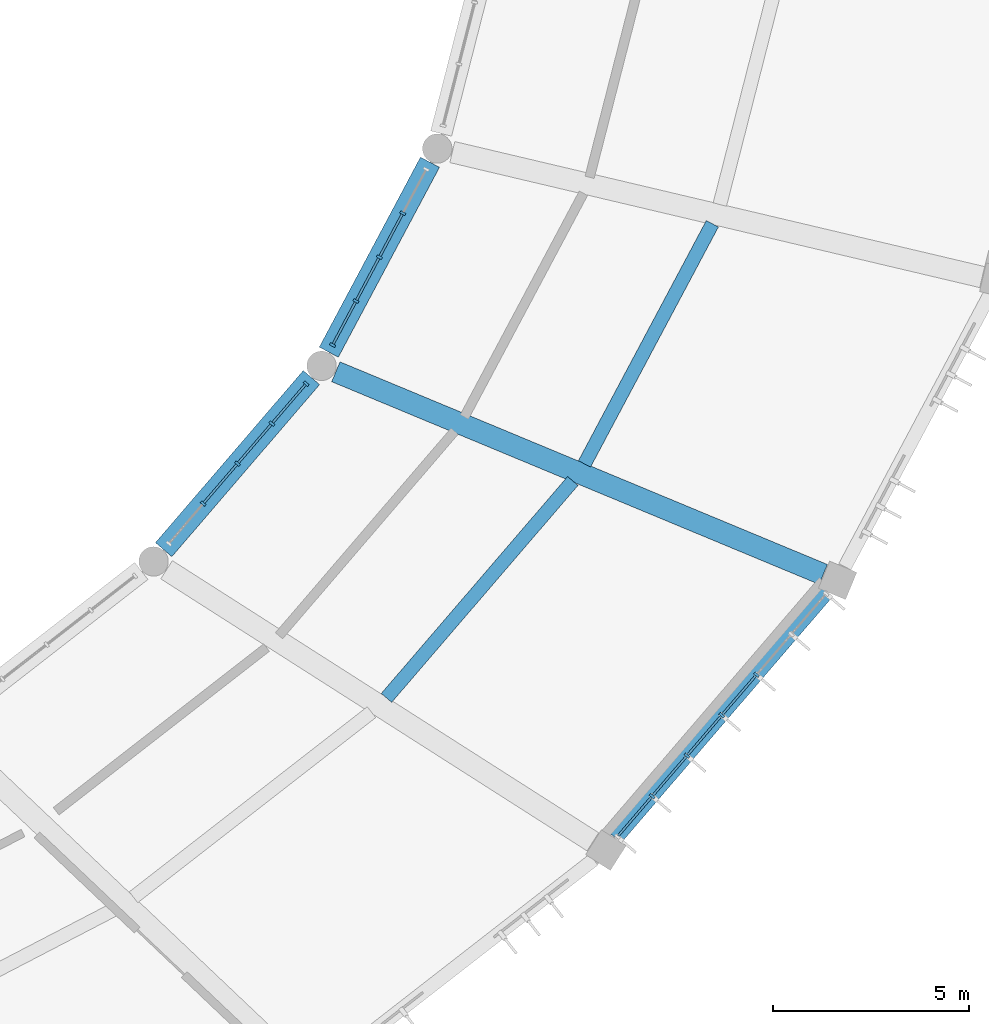
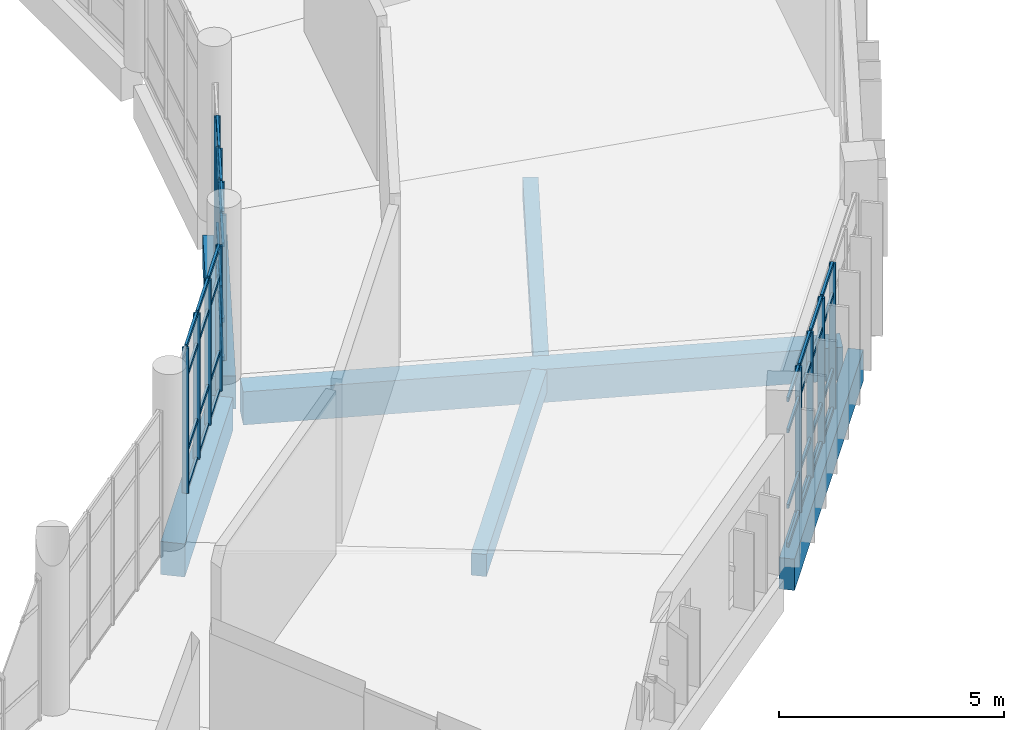
# One storey, part 39 of 179: 52 members, 6 beams, 3 elements without a shape of their own.
"""IFC4 building model written with IfcOpenShell, lengths in metres."""

from ifc_helpers import new_model, si_unit, direction, frame, origin, origin_2d, place, context, subcontext, project, spatial, rectangle, extrude, material, layer, layer_set, material_profile, profile_set, type_object, element, aggregate, save


model = new_model("IFC4")

# Units and contexts
model_context = context("Model", 3, precision=1e-05, world=origin(), true_north=direction((0.0, 1.0)))
body_context = subcontext(model_context, "Body", "Model", "MODEL_VIEW")
ifc_project = project(units=[si_unit("LENGTHUNIT", "METRE"), si_unit("AREAUNIT", "SQUARE_METRE"), si_unit("VOLUMEUNIT", "CUBIC_METRE"), si_unit("PLANEANGLEUNIT", "RADIAN"), si_unit("MASSUNIT", "GRAM", prefix="KILO")], contexts=[model_context])

# Site, building, storey
site_placement = place(None, origin())
site = spatial("IfcSite", under=ifc_project, at=site_placement, CompositionType="ELEMENT")
building_placement = place(site_placement, origin())
building = spatial("IfcBuilding", under=site, at=building_placement, Name="Corvandel Quay Wholesale Market", CompositionType="ELEMENT")
storey_placement = place(building_placement, frame((0.0, 0.0, 6.0)))
storey = spatial("IfcBuildingStorey", under=building, at=storey_placement, Name="L01", CompositionType="ELEMENT", Elevation=6.0)

# Curtain wall, members
ifc_material_1 = material(Name="Bronze anodised aluminium and low-E insulated glazing", Category="aluminium")
ifc_layer_1 = layer(ifc_material_1, 0.14990234375)
ifc_layer_set_1 = layer_set([ifc_layer_1], Name="Bronze anodised aluminium and low-E insulated glazing")
curtain_wall_type_1 = type_object("IfcCurtainWallType", Name="Stick Curtain Wall System CW05 H3450", PredefinedType="NOTDEFINED", material=ifc_layer_set_1)
curtain_wall_1_placement = place(storey_placement, origin())
curtain_wall_1 = element("IfcCurtainWall", 1, at=curtain_wall_1_placement, inside=storey, type_object=curtain_wall_type_1, Name="Curtain Wall CW-0085", PredefinedType="NOTDEFINED")
ifc_material_2 = material(Name="Anodised aluminium 6063-T6", Category="aluminium")
ifc_material_profile_1 = material_profile(ifc_material_2, rectangle(XDim=0.06494140625, YDim=0.14990234375, at=origin_2d()), Name="ALU-MUL-65x150")
ifc_profile_set_1 = profile_set([ifc_material_profile_1], Name="Anodised aluminium 6063-T6")
member_type_1 = type_object("IfcMemberType", Name="Curtain Wall Mullion ML02 65x150", PredefinedType="MULLION", material=ifc_profile_set_1)
member_1_placement = place(storey_placement, frame((157.125244140625, 16.60107421875, 0.0), z_axis=(0.0, 0.0, 1.0), x_axis=(0.651568967347, 0.758589401976, 0.0)))
member_1 = element("IfcMember", 2, at=member_1_placement, type_object=member_type_1, Name="Mullion CW-0085-M01", PredefinedType="MULLION", context=body_context, shape_type="SweptSolid", body=[
    extrude(rectangle(XDim=0.06494140625, YDim=0.14990234375, at=origin_2d()), origin(), (0.0, 0.0, 1.0), 3.949951171875),
])
member_2_placement = place(storey_placement, frame((158.012451171875, 17.6337890625, 0.0), z_axis=(0.0, 0.0, 1.0), x_axis=(0.651568967347, 0.758589401976, 0.0)))
member_2 = element("IfcMember", 3, at=member_2_placement, type_object=member_type_1, Name="Mullion CW-0085-M02", PredefinedType="MULLION", context=body_context, shape_type="SweptSolid", body=[
    extrude(rectangle(XDim=0.06494140625, YDim=0.14990234375, at=origin_2d()), origin(), (0.0, 0.0, 1.0), 3.949951171875),
])
member_3_placement = place(storey_placement, frame((158.8994140625, 18.66650390625, 0.0), z_axis=(0.0, 0.0, 1.0), x_axis=(0.651568967347, 0.758589401976, 0.0)))
member_3 = element("IfcMember", 4, at=member_3_placement, type_object=member_type_1, Name="Mullion CW-0085-M03", PredefinedType="MULLION", context=body_context, shape_type="SweptSolid", body=[
    extrude(rectangle(XDim=0.06494140625, YDim=0.14990234375, at=origin_2d()), origin(), (0.0, 0.0, 1.0), 3.949951171875),
])
member_4_placement = place(storey_placement, frame((159.78662109375, 19.69921875, 0.0), z_axis=(0.0, 0.0, 1.0), x_axis=(0.651568967347, 0.758589401976, 0.0)))
member_4 = element("IfcMember", 5, at=member_4_placement, type_object=member_type_1, Name="Mullion CW-0085-M04", PredefinedType="MULLION", context=body_context, shape_type="SweptSolid", body=[
    extrude(rectangle(XDim=0.06494140625, YDim=0.14990234375, at=origin_2d()), origin(), (0.0, 0.0, 1.0), 3.949951171875),
])

ifc_layer_2 = layer(ifc_material_1, 0.197998046875)
ifc_layer_set_2 = layer_set([ifc_layer_2], Name="Bronze anodised aluminium and low-E insulated glazing")
curtain_wall_type_2 = type_object("IfcCurtainWallType", Name="Stick Curtain Wall System CW19 H4710", PredefinedType="NOTDEFINED", material=ifc_layer_set_2)
curtain_wall_2_placement = place(storey_placement, origin())
curtain_wall_2 = element("IfcCurtainWall", 6, at=curtain_wall_2_placement, inside=storey, type_object=curtain_wall_type_2, Name="Curtain Wall CW-0086", PredefinedType="NOTDEFINED")
member_5_placement = place(storey_placement, frame((145.676513671875, 24.0634765625, 0.0), z_axis=(0.0, 0.0, 1.0), x_axis=(0.651568967347, 0.758589401976, 0.0)))
member_5 = element("IfcMember", 7, at=member_5_placement, type_object=member_type_1, Name="Mullion CW-0086-M01", PredefinedType="MULLION", context=body_context, shape_type="SweptSolid", body=[
    extrude(rectangle(XDim=0.06494140625, YDim=0.14990234375, at=origin_2d()), origin(), (0.0, 0.0, 1.0), 3.949951171875),
])
member_6_placement = place(storey_placement, frame((146.552001953125, 25.0830078125, 0.0), z_axis=(0.0, 0.0, 1.0), x_axis=(0.651568967347, 0.758589401976, 0.0)))
member_6 = element("IfcMember", 8, at=member_6_placement, type_object=member_type_1, Name="Mullion CW-0086-M02", PredefinedType="MULLION", context=body_context, shape_type="SweptSolid", body=[
    extrude(rectangle(XDim=0.06494140625, YDim=0.14990234375, at=origin_2d()), origin(), (0.0, 0.0, 1.0), 3.949951171875),
])
member_7_placement = place(storey_placement, frame((147.427490234375, 26.1025390625, 0.0), z_axis=(0.0, 0.0, 1.0), x_axis=(0.651568967347, 0.758589401976, 0.0)))
member_7 = element("IfcMember", 9, at=member_7_placement, type_object=member_type_1, Name="Mullion CW-0086-M03", PredefinedType="MULLION", context=body_context, shape_type="SweptSolid", body=[
    extrude(rectangle(XDim=0.06494140625, YDim=0.14990234375, at=origin_2d()), origin(), (0.0, 0.0, 1.0), 3.949951171875),
])
member_8_placement = place(storey_placement, frame((148.302978515625, 27.121826171875, 0.0), z_axis=(0.0, 0.0, 1.0), x_axis=(0.651568967347, 0.758589401976, 0.0)))
member_8 = element("IfcMember", 10, at=member_8_placement, type_object=member_type_1, Name="Mullion CW-0086-M04", PredefinedType="MULLION", context=body_context, shape_type="SweptSolid", body=[
    extrude(rectangle(XDim=0.06494140625, YDim=0.14990234375, at=origin_2d()), origin(), (0.0, 0.0, 1.0), 3.949951171875),
])

ifc_layer_3 = layer(ifc_material_1, 0.14990234375)
ifc_layer_set_3 = layer_set([ifc_layer_3], Name="Bronze anodised aluminium and low-E insulated glazing")
curtain_wall_type_3 = type_object("IfcCurtainWallType", Name="Stick Curtain Wall System CW20 H4800", PredefinedType="NOTDEFINED", material=ifc_layer_set_3)
curtain_wall_3_placement = place(storey_placement, origin())
curtain_wall_3 = element("IfcCurtainWall", 11, at=curtain_wall_3_placement, inside=storey, type_object=curtain_wall_type_3, Name="Curtain Wall CW-0087", PredefinedType="NOTDEFINED")
member_9_placement = place(storey_placement, frame((148.97607421875, 28.106689453125, 0.0), z_axis=(0.0, 0.0, 1.0), x_axis=(0.470087862033, 0.882619624736, 0.0)))
member_9 = element("IfcMember", 12, at=member_9_placement, type_object=member_type_1, Name="Mullion CW-0087-M00", PredefinedType="MULLION", context=body_context, shape_type="SweptSolid", body=[
    extrude(rectangle(XDim=0.06494140625, YDim=0.14990234375, at=origin_2d()), origin(), (0.0, 0.0, 1.0), 3.949951171875),
])
member_10_placement = place(storey_placement, frame((149.57275390625, 29.22705078125, 0.0), z_axis=(0.0, 0.0, 1.0), x_axis=(0.470087862033, 0.882619624736, 0.0)))
member_10 = element("IfcMember", 13, at=member_10_placement, type_object=member_type_1, Name="Mullion CW-0087-M01", PredefinedType="MULLION", context=body_context, shape_type="SweptSolid", body=[
    extrude(rectangle(XDim=0.06494140625, YDim=0.14990234375, at=origin_2d()), origin(), (0.0, 0.0, 1.0), 3.949951171875),
])
member_11_placement = place(storey_placement, frame((150.16943359375, 30.347412109375, 0.0), z_axis=(0.0, 0.0, 1.0), x_axis=(0.470087862033, 0.882619624736, 0.0)))
member_11 = element("IfcMember", 14, at=member_11_placement, type_object=member_type_1, Name="Mullion CW-0087-M02", PredefinedType="MULLION", context=body_context, shape_type="SweptSolid", body=[
    extrude(rectangle(XDim=0.06494140625, YDim=0.14990234375, at=origin_2d()), origin(), (0.0, 0.0, 1.0), 3.949951171875),
])
member_12_placement = place(storey_placement, frame((150.76611328125, 31.468017578125, 0.0), z_axis=(0.0, 0.0, 1.0), x_axis=(0.470087862033, 0.882619624736, 0.0)))
member_12 = element("IfcMember", 15, at=member_12_placement, type_object=member_type_1, Name="Mullion CW-0087-M03", PredefinedType="MULLION", context=body_context, shape_type="SweptSolid", body=[
    extrude(rectangle(XDim=0.06494140625, YDim=0.14990234375, at=origin_2d()), origin(), (0.0, 0.0, 1.0), 3.949951171875),
])

# Member
ifc_material_profile_2 = material_profile(ifc_material_2, rectangle(XDim=0.06005859375, YDim=0.110107421875, at=origin_2d()), Name="ALU-TRN-60x110")
ifc_profile_set_2 = profile_set([ifc_material_profile_2], Name="Anodised aluminium 6063-T6")
member_type_2 = type_object("IfcMemberType", Name="Curtain Wall Transom TR02 60x110", PredefinedType="USERDEFINED", material=ifc_profile_set_2)
member_13_placement = place(storey_placement, frame((156.259521484375, 15.593017578125, 0.0), z_axis=(0.651489086867, 0.758658005753, 0.0), x_axis=(-0.758658005753, 0.651489086867, 0.0)))
member_13 = element("IfcMember", 16, at=member_13_placement, type_object=member_type_2, Name="Transom CW-0085-T00-0", ObjectType="TRANSOM", PredefinedType="USERDEFINED", context=body_context, shape_type="SweptSolid", body=[
    extrude(rectangle(XDim=0.06005859375, YDim=0.110107421875, at=origin_2d()), origin(), (0.0, 0.0, 1.0), 1.296142578125),
])

member_14_placement = place(storey_placement, frame((156.259521484375, 15.593017578125, 1.050048828125), z_axis=(0.651489086867, 0.758658005753, 0.0), x_axis=(-0.758658005753, 0.651489086867, 0.0)))
member_14 = element("IfcMember", 17, at=member_14_placement, type_object=member_type_2, Name="Transom CW-0085-T00-1", ObjectType="TRANSOM", PredefinedType="USERDEFINED", context=body_context, shape_type="SweptSolid", body=[
    extrude(rectangle(XDim=0.06005859375, YDim=0.110107421875, at=origin_2d()), origin(), (0.0, 0.0, 1.0), 1.296142578125),
])

member_15_placement = place(storey_placement, frame((156.259521484375, 15.593017578125, 3.10009765625), z_axis=(0.651489086867, 0.758658005753, 0.0), x_axis=(-0.758658005753, 0.651489086867, 0.0)))
member_15 = element("IfcMember", 18, at=member_15_placement, type_object=member_type_2, Name="Transom CW-0085-T00-2", ObjectType="TRANSOM", PredefinedType="USERDEFINED", context=body_context, shape_type="SweptSolid", body=[
    extrude(rectangle(XDim=0.06005859375, YDim=0.110107421875, at=origin_2d()), origin(), (0.0, 0.0, 1.0), 1.296142578125),
])

member_16_placement = place(storey_placement, frame((156.259521484375, 15.593017578125, 3.949951171875), z_axis=(0.651489086867, 0.758658005753, 0.0), x_axis=(-0.758658005753, 0.651489086867, 0.0)))
member_16 = element("IfcMember", 19, at=member_16_placement, type_object=member_type_2, Name="Transom CW-0085-T00-3", ObjectType="TRANSOM", PredefinedType="USERDEFINED", context=body_context, shape_type="SweptSolid", body=[
    extrude(rectangle(XDim=0.06005859375, YDim=0.110107421875, at=origin_2d()), origin(), (0.0, 0.0, 1.0), 1.296142578125),
])

member_17_placement = place(storey_placement, frame((157.146484375, 16.625732421875, 0.0), z_axis=(0.651597471756, 0.758564917987, 0.0), x_axis=(-0.758564917987, 0.651597471756, 0.0)))
member_17 = element("IfcMember", 20, at=member_17_placement, type_object=member_type_2, Name="Transom CW-0085-T01-0", ObjectType="TRANSOM", PredefinedType="USERDEFINED", context=body_context, shape_type="SweptSolid", body=[
    extrude(rectangle(XDim=0.06005859375, YDim=0.110107421875, at=origin_2d()), origin(), (0.0, 0.0, 1.0), 1.29638671875),
])

member_18_placement = place(storey_placement, frame((157.146484375, 16.625732421875, 1.050048828125), z_axis=(0.651597471756, 0.758564917987, 0.0), x_axis=(-0.758564917987, 0.651597471756, 0.0)))
member_18 = element("IfcMember", 21, at=member_18_placement, type_object=member_type_2, Name="Transom CW-0085-T01-1", ObjectType="TRANSOM", PredefinedType="USERDEFINED", context=body_context, shape_type="SweptSolid", body=[
    extrude(rectangle(XDim=0.06005859375, YDim=0.110107421875, at=origin_2d()), origin(), (0.0, 0.0, 1.0), 1.29638671875),
])

member_19_placement = place(storey_placement, frame((157.146484375, 16.625732421875, 3.10009765625), z_axis=(0.651597471756, 0.758564917987, 0.0), x_axis=(-0.758564917987, 0.651597471756, 0.0)))
member_19 = element("IfcMember", 22, at=member_19_placement, type_object=member_type_2, Name="Transom CW-0085-T01-2", ObjectType="TRANSOM", PredefinedType="USERDEFINED", context=body_context, shape_type="SweptSolid", body=[
    extrude(rectangle(XDim=0.06005859375, YDim=0.110107421875, at=origin_2d()), origin(), (0.0, 0.0, 1.0), 1.29638671875),
])

member_20_placement = place(storey_placement, frame((157.146484375, 16.625732421875, 3.949951171875), z_axis=(0.651597471756, 0.758564917987, 0.0), x_axis=(-0.758564917987, 0.651597471756, 0.0)))
member_20 = element("IfcMember", 23, at=member_20_placement, type_object=member_type_2, Name="Transom CW-0085-T01-3", ObjectType="TRANSOM", PredefinedType="USERDEFINED", context=body_context, shape_type="SweptSolid", body=[
    extrude(rectangle(XDim=0.06005859375, YDim=0.110107421875, at=origin_2d()), origin(), (0.0, 0.0, 1.0), 1.29638671875),
])

member_21_placement = place(storey_placement, frame((158.03369140625, 17.658447265625, 0.0), z_axis=(0.651597471756, 0.758564917987, 0.0), x_axis=(-0.758564917987, 0.651597471756, 0.0)))
member_21 = element("IfcMember", 24, at=member_21_placement, type_object=member_type_2, Name="Transom CW-0085-T02-0", ObjectType="TRANSOM", PredefinedType="USERDEFINED", context=body_context, shape_type="SweptSolid", body=[
    extrude(rectangle(XDim=0.06005859375, YDim=0.110107421875, at=origin_2d()), origin(), (0.0, 0.0, 1.0), 1.29638671875),
])

member_22_placement = place(storey_placement, frame((158.03369140625, 17.658447265625, 1.050048828125), z_axis=(0.651597471756, 0.758564917987, 0.0), x_axis=(-0.758564917987, 0.651597471756, 0.0)))
member_22 = element("IfcMember", 25, at=member_22_placement, type_object=member_type_2, Name="Transom CW-0085-T02-1", ObjectType="TRANSOM", PredefinedType="USERDEFINED", context=body_context, shape_type="SweptSolid", body=[
    extrude(rectangle(XDim=0.06005859375, YDim=0.110107421875, at=origin_2d()), origin(), (0.0, 0.0, 1.0), 1.29638671875),
])

member_23_placement = place(storey_placement, frame((158.03369140625, 17.658447265625, 3.10009765625), z_axis=(0.651597471756, 0.758564917987, 0.0), x_axis=(-0.758564917987, 0.651597471756, 0.0)))
member_23 = element("IfcMember", 26, at=member_23_placement, type_object=member_type_2, Name="Transom CW-0085-T02-2", ObjectType="TRANSOM", PredefinedType="USERDEFINED", context=body_context, shape_type="SweptSolid", body=[
    extrude(rectangle(XDim=0.06005859375, YDim=0.110107421875, at=origin_2d()), origin(), (0.0, 0.0, 1.0), 1.29638671875),
])

member_24_placement = place(storey_placement, frame((158.03369140625, 17.658447265625, 3.949951171875), z_axis=(0.651597471756, 0.758564917987, 0.0), x_axis=(-0.758564917987, 0.651597471756, 0.0)))
member_24 = element("IfcMember", 27, at=member_24_placement, type_object=member_type_2, Name="Transom CW-0085-T02-3", ObjectType="TRANSOM", PredefinedType="USERDEFINED", context=body_context, shape_type="SweptSolid", body=[
    extrude(rectangle(XDim=0.06005859375, YDim=0.110107421875, at=origin_2d()), origin(), (0.0, 0.0, 1.0), 1.29638671875),
])

member_25_placement = place(storey_placement, frame((158.920654296875, 18.691162109375, 0.0), z_axis=(0.651597471756, 0.758564917987, 0.0), x_axis=(-0.758564917987, 0.651597471756, 0.0)))
member_25 = element("IfcMember", 28, at=member_25_placement, type_object=member_type_2, Name="Transom CW-0085-T03-0", ObjectType="TRANSOM", PredefinedType="USERDEFINED", context=body_context, shape_type="SweptSolid", body=[
    extrude(rectangle(XDim=0.06005859375, YDim=0.110107421875, at=origin_2d()), origin(), (0.0, 0.0, 1.0), 1.29638671875),
])

member_26_placement = place(storey_placement, frame((158.920654296875, 18.691162109375, 1.050048828125), z_axis=(0.651597471756, 0.758564917987, 0.0), x_axis=(-0.758564917987, 0.651597471756, 0.0)))
member_26 = element("IfcMember", 29, at=member_26_placement, type_object=member_type_2, Name="Transom CW-0085-T03-1", ObjectType="TRANSOM", PredefinedType="USERDEFINED", context=body_context, shape_type="SweptSolid", body=[
    extrude(rectangle(XDim=0.06005859375, YDim=0.110107421875, at=origin_2d()), origin(), (0.0, 0.0, 1.0), 1.29638671875),
])

member_27_placement = place(storey_placement, frame((158.920654296875, 18.691162109375, 3.10009765625), z_axis=(0.651597471756, 0.758564917987, 0.0), x_axis=(-0.758564917987, 0.651597471756, 0.0)))
member_27 = element("IfcMember", 30, at=member_27_placement, type_object=member_type_2, Name="Transom CW-0085-T03-2", ObjectType="TRANSOM", PredefinedType="USERDEFINED", context=body_context, shape_type="SweptSolid", body=[
    extrude(rectangle(XDim=0.06005859375, YDim=0.110107421875, at=origin_2d()), origin(), (0.0, 0.0, 1.0), 1.29638671875),
])

member_28_placement = place(storey_placement, frame((158.920654296875, 18.691162109375, 3.949951171875), z_axis=(0.651597471756, 0.758564917987, 0.0), x_axis=(-0.758564917987, 0.651597471756, 0.0)))
member_28 = element("IfcMember", 31, at=member_28_placement, type_object=member_type_2, Name="Transom CW-0085-T03-3", ObjectType="TRANSOM", PredefinedType="USERDEFINED", context=body_context, shape_type="SweptSolid", body=[
    extrude(rectangle(XDim=0.06005859375, YDim=0.110107421875, at=origin_2d()), origin(), (0.0, 0.0, 1.0), 1.29638671875),
])

aggregate(curtain_wall_1, [member_1, member_2, member_3, member_4, member_13, member_14, member_15, member_16, member_17, member_18, member_19, member_20, member_21, member_22, member_23, member_24, member_25, member_26, member_27, member_28])

member_29_placement = place(storey_placement, frame((145.697509765625, 24.088134765625, 0.0), z_axis=(0.651529947256, 0.758622915439, 0.0), x_axis=(-0.758622915439, 0.651529947256, 0.0)))
member_29 = element("IfcMember", 32, at=member_29_placement, type_object=member_type_2, Name="Transom CW-0086-T01-0", ObjectType="TRANSOM", PredefinedType="USERDEFINED", context=body_context, shape_type="SweptSolid", body=[
    extrude(rectangle(XDim=0.06005859375, YDim=0.110107421875, at=origin_2d()), origin(), (0.0, 0.0, 1.0), 1.27880859375),
])

member_30_placement = place(storey_placement, frame((145.697509765625, 24.088134765625, 1.050048828125), z_axis=(0.651529947256, 0.758622915439, 0.0), x_axis=(-0.758622915439, 0.651529947256, 0.0)))
member_30 = element("IfcMember", 33, at=member_30_placement, type_object=member_type_2, Name="Transom CW-0086-T01-1", ObjectType="TRANSOM", PredefinedType="USERDEFINED", context=body_context, shape_type="SweptSolid", body=[
    extrude(rectangle(XDim=0.06005859375, YDim=0.110107421875, at=origin_2d()), origin(), (0.0, 0.0, 1.0), 1.27880859375),
])

member_31_placement = place(storey_placement, frame((145.697509765625, 24.088134765625, 3.10009765625), z_axis=(0.651529947256, 0.758622915439, 0.0), x_axis=(-0.758622915439, 0.651529947256, 0.0)))
member_31 = element("IfcMember", 34, at=member_31_placement, type_object=member_type_2, Name="Transom CW-0086-T01-2", ObjectType="TRANSOM", PredefinedType="USERDEFINED", context=body_context, shape_type="SweptSolid", body=[
    extrude(rectangle(XDim=0.06005859375, YDim=0.110107421875, at=origin_2d()), origin(), (0.0, 0.0, 1.0), 1.27880859375),
])

member_32_placement = place(storey_placement, frame((145.697509765625, 24.088134765625, 3.949951171875), z_axis=(0.651529947256, 0.758622915439, 0.0), x_axis=(-0.758622915439, 0.651529947256, 0.0)))
member_32 = element("IfcMember", 35, at=member_32_placement, type_object=member_type_2, Name="Transom CW-0086-T01-3", ObjectType="TRANSOM", PredefinedType="USERDEFINED", context=body_context, shape_type="SweptSolid", body=[
    extrude(rectangle(XDim=0.06005859375, YDim=0.110107421875, at=origin_2d()), origin(), (0.0, 0.0, 1.0), 1.27880859375),
])

member_33_placement = place(storey_placement, frame((146.5732421875, 25.107666015625, 0.0), z_axis=(0.651529947256, 0.758622915439, 0.0), x_axis=(-0.758622915439, 0.651529947256, 0.0)))
member_33 = element("IfcMember", 36, at=member_33_placement, type_object=member_type_2, Name="Transom CW-0086-T02-0", ObjectType="TRANSOM", PredefinedType="USERDEFINED", context=body_context, shape_type="SweptSolid", body=[
    extrude(rectangle(XDim=0.06005859375, YDim=0.110107421875, at=origin_2d()), origin(), (0.0, 0.0, 1.0), 1.27880859375),
])

member_34_placement = place(storey_placement, frame((146.5732421875, 25.107666015625, 1.050048828125), z_axis=(0.651529947256, 0.758622915439, 0.0), x_axis=(-0.758622915439, 0.651529947256, 0.0)))
member_34 = element("IfcMember", 37, at=member_34_placement, type_object=member_type_2, Name="Transom CW-0086-T02-1", ObjectType="TRANSOM", PredefinedType="USERDEFINED", context=body_context, shape_type="SweptSolid", body=[
    extrude(rectangle(XDim=0.06005859375, YDim=0.110107421875, at=origin_2d()), origin(), (0.0, 0.0, 1.0), 1.27880859375),
])

member_35_placement = place(storey_placement, frame((146.5732421875, 25.107666015625, 3.10009765625), z_axis=(0.651529947256, 0.758622915439, 0.0), x_axis=(-0.758622915439, 0.651529947256, 0.0)))
member_35 = element("IfcMember", 38, at=member_35_placement, type_object=member_type_2, Name="Transom CW-0086-T02-2", ObjectType="TRANSOM", PredefinedType="USERDEFINED", context=body_context, shape_type="SweptSolid", body=[
    extrude(rectangle(XDim=0.06005859375, YDim=0.110107421875, at=origin_2d()), origin(), (0.0, 0.0, 1.0), 1.27880859375),
])

member_36_placement = place(storey_placement, frame((146.5732421875, 25.107666015625, 3.949951171875), z_axis=(0.651529947256, 0.758622915439, 0.0), x_axis=(-0.758622915439, 0.651529947256, 0.0)))
member_36 = element("IfcMember", 39, at=member_36_placement, type_object=member_type_2, Name="Transom CW-0086-T02-3", ObjectType="TRANSOM", PredefinedType="USERDEFINED", context=body_context, shape_type="SweptSolid", body=[
    extrude(rectangle(XDim=0.06005859375, YDim=0.110107421875, at=origin_2d()), origin(), (0.0, 0.0, 1.0), 1.27880859375),
])

member_37_placement = place(storey_placement, frame((147.44873046875, 26.127197265625, 0.0), z_axis=(0.651624309471, 0.758541863911, 0.0), x_axis=(-0.758541863911, 0.651624309471, 0.0)))
member_37 = element("IfcMember", 40, at=member_37_placement, type_object=member_type_2, Name="Transom CW-0086-T03-0", ObjectType="TRANSOM", PredefinedType="USERDEFINED", context=body_context, shape_type="SweptSolid", body=[
    extrude(rectangle(XDim=0.06005859375, YDim=0.110107421875, at=origin_2d()), origin(), (0.0, 0.0, 1.0), 1.27880859375),
])

member_38_placement = place(storey_placement, frame((147.44873046875, 26.127197265625, 1.050048828125), z_axis=(0.651624309471, 0.758541863911, 0.0), x_axis=(-0.758541863911, 0.651624309471, 0.0)))
member_38 = element("IfcMember", 41, at=member_38_placement, type_object=member_type_2, Name="Transom CW-0086-T03-1", ObjectType="TRANSOM", PredefinedType="USERDEFINED", context=body_context, shape_type="SweptSolid", body=[
    extrude(rectangle(XDim=0.06005859375, YDim=0.110107421875, at=origin_2d()), origin(), (0.0, 0.0, 1.0), 1.27880859375),
])

member_39_placement = place(storey_placement, frame((147.44873046875, 26.127197265625, 3.10009765625), z_axis=(0.651624309471, 0.758541863911, 0.0), x_axis=(-0.758541863911, 0.651624309471, 0.0)))
member_39 = element("IfcMember", 42, at=member_39_placement, type_object=member_type_2, Name="Transom CW-0086-T03-2", ObjectType="TRANSOM", PredefinedType="USERDEFINED", context=body_context, shape_type="SweptSolid", body=[
    extrude(rectangle(XDim=0.06005859375, YDim=0.110107421875, at=origin_2d()), origin(), (0.0, 0.0, 1.0), 1.27880859375),
])

member_40_placement = place(storey_placement, frame((147.44873046875, 26.127197265625, 3.949951171875), z_axis=(0.651624309471, 0.758541863911, 0.0), x_axis=(-0.758541863911, 0.651624309471, 0.0)))
member_40 = element("IfcMember", 43, at=member_40_placement, type_object=member_type_2, Name="Transom CW-0086-T03-3", ObjectType="TRANSOM", PredefinedType="USERDEFINED", context=body_context, shape_type="SweptSolid", body=[
    extrude(rectangle(XDim=0.06005859375, YDim=0.110107421875, at=origin_2d()), origin(), (0.0, 0.0, 1.0), 1.27880859375),
])

aggregate(curtain_wall_2, [member_5, member_6, member_7, member_8, member_29, member_30, member_31, member_32, member_33, member_34, member_35, member_36, member_37, member_38, member_39, member_40])

member_41_placement = place(storey_placement, frame((148.9912109375, 28.13525390625, 0.0), z_axis=(0.470167437755, 0.882577237682, 0.0), x_axis=(-0.882577237682, 0.470167437755, 0.0)))
member_41 = element("IfcMember", 44, at=member_41_placement, type_object=member_type_2, Name="Transom CW-0087-T00-0", ObjectType="TRANSOM", PredefinedType="USERDEFINED", context=body_context, shape_type="SweptSolid", body=[
    extrude(rectangle(XDim=0.06005859375, YDim=0.110107421875, at=origin_2d()), origin(), (0.0, 0.0, 1.0), 1.20458984375),
])

member_42_placement = place(storey_placement, frame((148.9912109375, 28.13525390625, 1.050048828125), z_axis=(0.470167437755, 0.882577237682, 0.0), x_axis=(-0.882577237682, 0.470167437755, 0.0)))
member_42 = element("IfcMember", 45, at=member_42_placement, type_object=member_type_2, Name="Transom CW-0087-T00-1", ObjectType="TRANSOM", PredefinedType="USERDEFINED", context=body_context, shape_type="SweptSolid", body=[
    extrude(rectangle(XDim=0.06005859375, YDim=0.110107421875, at=origin_2d()), origin(), (0.0, 0.0, 1.0), 1.20458984375),
])

member_43_placement = place(storey_placement, frame((148.9912109375, 28.13525390625, 3.10009765625), z_axis=(0.470167437755, 0.882577237682, 0.0), x_axis=(-0.882577237682, 0.470167437755, 0.0)))
member_43 = element("IfcMember", 46, at=member_43_placement, type_object=member_type_2, Name="Transom CW-0087-T00-2", ObjectType="TRANSOM", PredefinedType="USERDEFINED", context=body_context, shape_type="SweptSolid", body=[
    extrude(rectangle(XDim=0.06005859375, YDim=0.110107421875, at=origin_2d()), origin(), (0.0, 0.0, 1.0), 1.20458984375),
])

member_44_placement = place(storey_placement, frame((148.9912109375, 28.13525390625, 3.949951171875), z_axis=(0.470167437755, 0.882577237682, 0.0), x_axis=(-0.882577237682, 0.470167437755, 0.0)))
member_44 = element("IfcMember", 47, at=member_44_placement, type_object=member_type_2, Name="Transom CW-0087-T00-3", ObjectType="TRANSOM", PredefinedType="USERDEFINED", context=body_context, shape_type="SweptSolid", body=[
    extrude(rectangle(XDim=0.06005859375, YDim=0.110107421875, at=origin_2d()), origin(), (0.0, 0.0, 1.0), 1.20458984375),
])

member_45_placement = place(storey_placement, frame((149.587890625, 29.255615234375, 0.0), z_axis=(0.470167437755, 0.882577237682, 0.0), x_axis=(-0.882577237682, 0.470167437755, 0.0)))
member_45 = element("IfcMember", 48, at=member_45_placement, type_object=member_type_2, Name="Transom CW-0087-T01-0", ObjectType="TRANSOM", PredefinedType="USERDEFINED", context=body_context, shape_type="SweptSolid", body=[
    extrude(rectangle(XDim=0.06005859375, YDim=0.110107421875, at=origin_2d()), origin(), (0.0, 0.0, 1.0), 1.20458984375),
])

member_46_placement = place(storey_placement, frame((149.587890625, 29.255615234375, 1.050048828125), z_axis=(0.470167437755, 0.882577237682, 0.0), x_axis=(-0.882577237682, 0.470167437755, 0.0)))
member_46 = element("IfcMember", 49, at=member_46_placement, type_object=member_type_2, Name="Transom CW-0087-T01-1", ObjectType="TRANSOM", PredefinedType="USERDEFINED", context=body_context, shape_type="SweptSolid", body=[
    extrude(rectangle(XDim=0.06005859375, YDim=0.110107421875, at=origin_2d()), origin(), (0.0, 0.0, 1.0), 1.20458984375),
])

member_47_placement = place(storey_placement, frame((149.587890625, 29.255615234375, 3.10009765625), z_axis=(0.470167437755, 0.882577237682, 0.0), x_axis=(-0.882577237682, 0.470167437755, 0.0)))
member_47 = element("IfcMember", 50, at=member_47_placement, type_object=member_type_2, Name="Transom CW-0087-T01-2", ObjectType="TRANSOM", PredefinedType="USERDEFINED", context=body_context, shape_type="SweptSolid", body=[
    extrude(rectangle(XDim=0.06005859375, YDim=0.110107421875, at=origin_2d()), origin(), (0.0, 0.0, 1.0), 1.20458984375),
])

member_48_placement = place(storey_placement, frame((149.587890625, 29.255615234375, 3.949951171875), z_axis=(0.470167437755, 0.882577237682, 0.0), x_axis=(-0.882577237682, 0.470167437755, 0.0)))
member_48 = element("IfcMember", 51, at=member_48_placement, type_object=member_type_2, Name="Transom CW-0087-T01-3", ObjectType="TRANSOM", PredefinedType="USERDEFINED", context=body_context, shape_type="SweptSolid", body=[
    extrude(rectangle(XDim=0.06005859375, YDim=0.110107421875, at=origin_2d()), origin(), (0.0, 0.0, 1.0), 1.20458984375),
])

member_49_placement = place(storey_placement, frame((150.184814453125, 30.376220703125, 0.0), z_axis=(0.470093651578, 0.882616541169, 0.0), x_axis=(-0.882616541169, 0.470093651578, 0.0)))
member_49 = element("IfcMember", 52, at=member_49_placement, type_object=member_type_2, Name="Transom CW-0087-T02-0", ObjectType="TRANSOM", PredefinedType="USERDEFINED", context=body_context, shape_type="SweptSolid", body=[
    extrude(rectangle(XDim=0.06005859375, YDim=0.110107421875, at=origin_2d()), origin(), (0.0, 0.0, 1.0), 1.204345703125),
])

member_50_placement = place(storey_placement, frame((150.184814453125, 30.376220703125, 1.050048828125), z_axis=(0.470093651578, 0.882616541169, 0.0), x_axis=(-0.882616541169, 0.470093651578, 0.0)))
member_50 = element("IfcMember", 53, at=member_50_placement, type_object=member_type_2, Name="Transom CW-0087-T02-1", ObjectType="TRANSOM", PredefinedType="USERDEFINED", context=body_context, shape_type="SweptSolid", body=[
    extrude(rectangle(XDim=0.06005859375, YDim=0.110107421875, at=origin_2d()), origin(), (0.0, 0.0, 1.0), 1.204345703125),
])

member_51_placement = place(storey_placement, frame((150.184814453125, 30.376220703125, 3.10009765625), z_axis=(0.470093651578, 0.882616541169, 0.0), x_axis=(-0.882616541169, 0.470093651578, 0.0)))
member_51 = element("IfcMember", 54, at=member_51_placement, type_object=member_type_2, Name="Transom CW-0087-T02-2", ObjectType="TRANSOM", PredefinedType="USERDEFINED", context=body_context, shape_type="SweptSolid", body=[
    extrude(rectangle(XDim=0.06005859375, YDim=0.110107421875, at=origin_2d()), origin(), (0.0, 0.0, 1.0), 1.204345703125),
])

member_52_placement = place(storey_placement, frame((150.184814453125, 30.376220703125, 3.949951171875), z_axis=(0.470093651578, 0.882616541169, 0.0), x_axis=(-0.882616541169, 0.470093651578, 0.0)))
member_52 = element("IfcMember", 55, at=member_52_placement, type_object=member_type_2, Name="Transom CW-0087-T02-3", ObjectType="TRANSOM", PredefinedType="USERDEFINED", context=body_context, shape_type="SweptSolid", body=[
    extrude(rectangle(XDim=0.06005859375, YDim=0.110107421875, at=origin_2d()), origin(), (0.0, 0.0, 1.0), 1.204345703125),
])

aggregate(curtain_wall_3, [member_9, member_10, member_11, member_12, member_41, member_42, member_43, member_44, member_45, member_46, member_47, member_48, member_49, member_50, member_51, member_52])

# Beams
ifc_material_3 = material(Name="Precast concrete C45/55", Category="concrete")
ifc_material_profile_3 = material_profile(ifc_material_3, rectangle(XDim=0.35009765625, YDim=0.85009765625, at=origin_2d()), Name="PC-SPN-350x850")
ifc_profile_set_3 = profile_set([ifc_material_profile_3], Name="Precast concrete C45/55")
beam_type_1 = type_object("IfcBeamType", Name="Perimeter Precast Spandrel SP01 350x850", PredefinedType="SPANDREL", material=ifc_profile_set_3)
beam_1_placement = place(storey_placement, frame((156.202392578125, 15.526611328125, -0.72509765625), z_axis=(0.651599746729, 0.758562963809, 0.0), x_axis=(-0.758562963809, 0.651599746729, 0.0)))
element("IfcBeam", 56, at=beam_1_placement, inside=storey, type_object=beam_type_1, Name="Beam BM-0346", PredefinedType="SPANDREL", context=body_context, shape_type="SweptSolid", body=[
    extrude(rectangle(XDim=0.35009765625, YDim=0.85009765625, at=origin_2d()), origin(), (0.0, 0.0, 1.0), 8.278564453125),
])
ifc_material_profile_4 = material_profile(ifc_material_3, rectangle(XDim=0.550048828125, YDim=0.89990234375, at=origin_2d()), Name="PC-GIR-550x900")
ifc_profile_set_4 = profile_set([ifc_material_profile_4], Name="Precast concrete C45/55")
beam_type_2 = type_object("IfcBeamType", Name="Produce Hall Radial Girder G03 550x900", PredefinedType="USERDEFINED", material=ifc_profile_set_4)
beam_2_placement = place(storey_placement, frame((144.66748046875, 22.888671875, -0.75), z_axis=(0.651520926354, 0.758630662789, 0.0), x_axis=(-0.758630662789, 0.651520926354, 0.0)))
element("IfcBeam", 57, at=beam_2_placement, inside=storey, type_object=beam_type_2, Name="Beam BM-0347", ObjectType="GIRDER", PredefinedType="USERDEFINED", context=body_context, shape_type="SweptSolid", body=[
    extrude(rectangle(XDim=0.550048828125, YDim=0.89990234375, at=origin_2d()), origin(), (0.0, 0.0, 1.0), 5.784912109375),
])
beam_3_placement = place(storey_placement, frame((148.879638671875, 27.925537109375, -0.75), z_axis=(0.470057068479, 0.882636024856, 0.0), x_axis=(-0.882636024856, 0.470057068479, 0.0)))
element("IfcBeam", 58, at=beam_3_placement, inside=storey, type_object=beam_type_2, Name="Beam BM-0359", ObjectType="GIRDER", PredefinedType="USERDEFINED", context=body_context, shape_type="SweptSolid", body=[
    extrude(rectangle(XDim=0.550048828125, YDim=0.89990234375, at=origin_2d()), origin(), (0.0, 0.0, 1.0), 5.48779296875),
])
beam_4_placement = place(storey_placement, frame((161.4892578125, 22.257568359375, -0.75), z_axis=(-0.923385679265, 0.383873530383, 0.0), x_axis=(-0.383873530383, -0.923385679265, 0.0)))
element("IfcBeam", 59, at=beam_4_placement, inside=storey, type_object=beam_type_2, Name="Beam BM-0360", ObjectType="GIRDER", PredefinedType="USERDEFINED", context=body_context, shape_type="SweptSolid", body=[
    extrude(rectangle(XDim=0.550048828125, YDim=0.89990234375, at=origin_2d()), origin(), (0.0, 0.0, 1.0), 13.462158203125),
])
ifc_material_profile_5 = material_profile(ifc_material_3, rectangle(XDim=0.35009765625, YDim=0.60009765625, at=origin_2d()), Name="PC-BM-350x600")
ifc_profile_set_5 = profile_set([ifc_material_profile_5], Name="Precast concrete C45/55")
beam_type_3 = type_object("IfcBeamType", Name="Trading Gallery Secondary Beam B02 350x600", PredefinedType="BEAM", material=ifc_profile_set_5)
beam_5_placement = place(storey_placement, frame((150.35009765625, 19.10888671875, -0.60009765625), z_axis=(0.651576847402, 0.758582633554, 0.0), x_axis=(-0.758582633554, 0.651576847402, 0.0)))
element("IfcBeam", 60, at=beam_5_placement, inside=storey, type_object=beam_type_3, Name="Beam BM-0349", PredefinedType="BEAM", context=body_context, shape_type="SweptSolid", body=[
    extrude(rectangle(XDim=0.35009765625, YDim=0.60009765625, at=origin_2d()), origin(), (0.0, 0.0, 1.0), 7.2919921875),
])
beam_6_placement = place(storey_placement, frame((155.398681640625, 25.075439453125, -0.60009765625), z_axis=(0.470076811502, 0.882625510218, 0.0), x_axis=(-0.882625510218, 0.470076811502, 0.0)))
element("IfcBeam", 61, at=beam_6_placement, inside=storey, type_object=beam_type_3, Name="Beam BM-0361", PredefinedType="BEAM", context=body_context, shape_type="SweptSolid", body=[
    extrude(rectangle(XDim=0.35009765625, YDim=0.60009765625, at=origin_2d()), origin(), (0.0, 0.0, 1.0), 6.938720703125),
])

save(model, "model.ifc")
